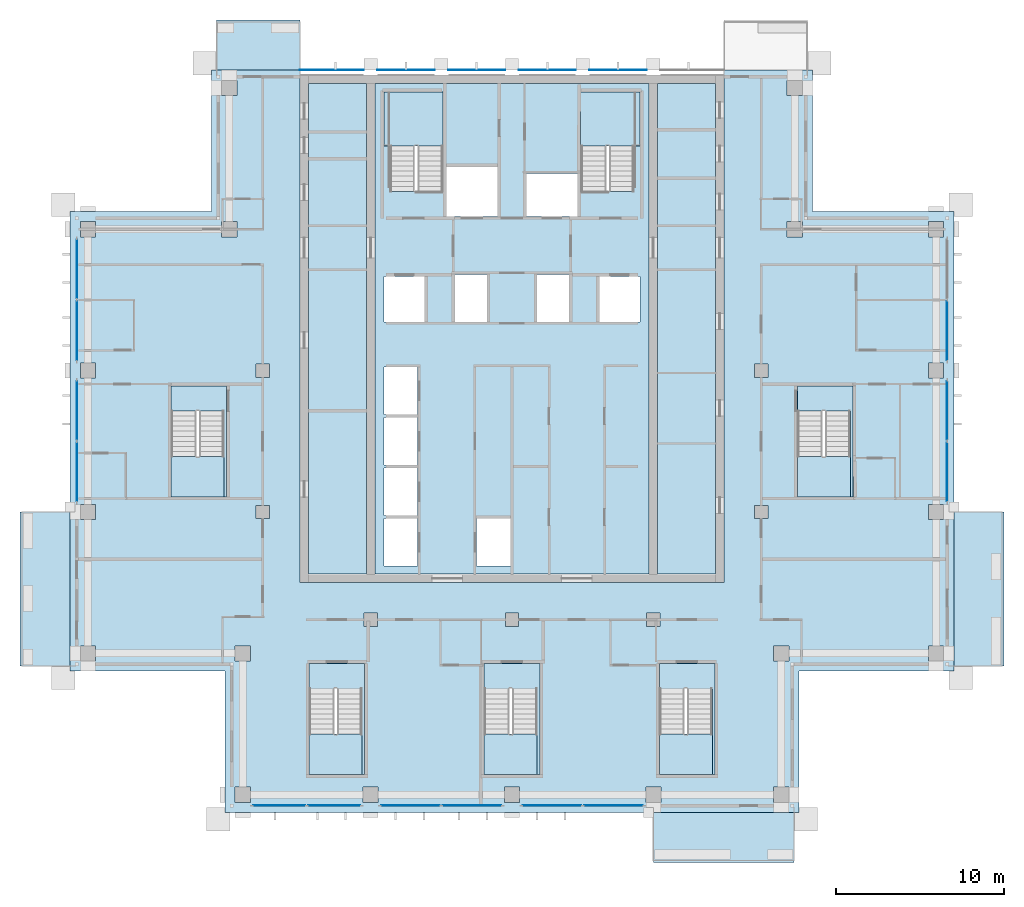
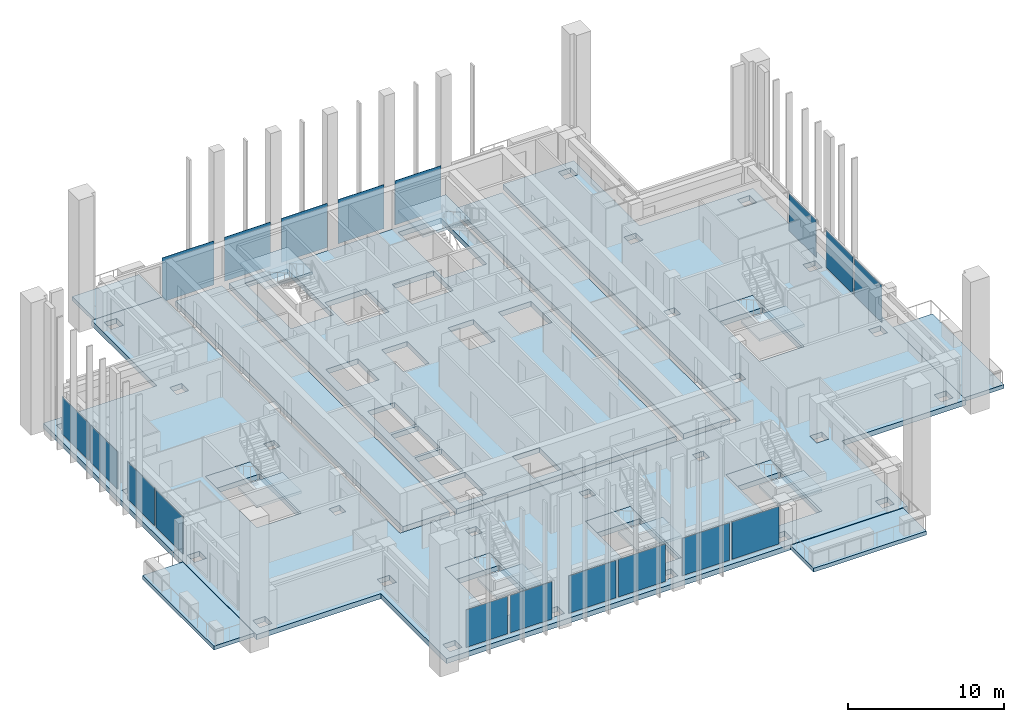
# One storey, part 8 of 20: 20 slabs, 18 plates, 14 elements without a shape of their own.
"""IFC4 building model written with IfcOpenShell, lengths in metres."""

from ifc_helpers import new_model, si_unit, direction, frame, origin, origin_2d, place, context, subcontext, project, spatial, polyline, rectangle, outline, extrude, material, layer, layer_set, type_object, element, aggregate, save


model = new_model("IFC4")

# Units and contexts
model_context = context("Model", 3, precision=1e-05, world=origin(), true_north=direction((0.0, 1.0)))
body_context = subcontext(model_context, "Body", "Model", "MODEL_VIEW")
ifc_project = project(units=[si_unit("LENGTHUNIT", "METRE"), si_unit("AREAUNIT", "SQUARE_METRE"), si_unit("VOLUMEUNIT", "CUBIC_METRE"), si_unit("PLANEANGLEUNIT", "RADIAN"), si_unit("MASSUNIT", "GRAM", prefix="KILO")], contexts=[model_context])

# Site, building, storey
site_placement = place(None, origin())
site = spatial("IfcSite", under=ifc_project, at=site_placement, CompositionType="ELEMENT")
building_placement = place(site_placement, origin())
building = spatial("IfcBuilding", under=site, at=building_placement, Name="Vermilion Ogive Tower", CompositionType="ELEMENT")
storey_placement = place(building_placement, frame((0.0, 0.0, 223.449951171875)))
storey = spatial("IfcBuildingStorey", under=building, at=storey_placement, Name="L58", CompositionType="ELEMENT", Elevation=223.449951171875)

# Slabs
ifc_material_1 = material(Name="Concrete B40", Category="concrete")
ifc_layer_1 = layer(ifc_material_1, 0.300048828125)
ifc_layer_set_1 = layer_set([ifc_layer_1], Name="Balcony slab")
slab_type_1 = type_object("IfcSlabType", Name="Balcony slab", PredefinedType="FLOOR", material=ifc_layer_set_1)
slab_1_placement = place(storey_placement, frame((0.0, 0.0, -0.33984375)))
element("IfcSlab", 1, at=slab_1_placement, inside=storey, type_object=slab_type_1, Name="Balcony slab S04", PredefinedType="FLOOR", context=body_context, shape_type="SweptSolid", body=[
    extrude(outline(polyline([(8.39990234375, -25.030029296875), (16.75, -25.030029296875), (16.75, -22.050048828125), (8.39990234375, -22.050048828125), (8.39990234375, -25.030029296875)])), origin(), (0.0, 0.0, 1.0), 0.2998046875),
])
slab_2_placement = place(storey_placement, frame((0.0, 0.0, -0.33984375)))
element("IfcSlab", 2, at=slab_2_placement, inside=storey, type_object=slab_type_1, Name="Balcony slab E01", PredefinedType="FLOOR", context=body_context, shape_type="SweptSolid", body=[
    extrude(outline(polyline([(29.22998046875, -13.35009765625), (29.22998046875, -4.199951171875), (26.25, -4.199951171875), (26.25, -13.35009765625), (29.22998046875, -13.35009765625)])), origin(), (0.0, 0.0, 1.0), 0.2998046875),
])
slab_3_placement = place(storey_placement, frame((0.0, 0.0, -0.33984375)))
element("IfcSlab", 3, at=slab_3_placement, inside=storey, type_object=slab_type_1, Name="Balcony slab N201", PredefinedType="FLOOR", context=body_context, shape_type="SweptSolid", body=[
    extrude(outline(polyline([(-12.60009765625, 25.030029296875), (-17.550048828125, 25.030029296875), (-17.550048828125, 22.050048828125), (-12.60009765625, 22.050048828125), (-12.60009765625, 25.030029296875)])), origin(), (0.0, 0.0, 1.0), 0.2998046875),
])
slab_4_placement = place(storey_placement, frame((0.0, 0.0, -0.33984375)))
element("IfcSlab", 4, at=slab_4_placement, inside=storey, type_object=slab_type_1, Name="Balcony slab W03", PredefinedType="FLOOR", context=body_context, shape_type="SweptSolid", body=[
    extrude(outline(polyline([(-29.22998046875, -4.199951171875), (-29.22998046875, -13.35009765625), (-26.25, -13.35009765625), (-26.25, -4.199951171875), (-29.22998046875, -4.199951171875)])), origin(), (0.0, 0.0, 1.0), 0.2998046875),
])

# Curtain wall, plates
ifc_material_2 = material(Name="Low-iron laminated glazing in aluminium frame", Category="aluminium")
curtain_wall_type = type_object("IfcCurtainWallType", Name="Curtain wall CW7", PredefinedType="NOTDEFINED", material=ifc_material_2)
curtain_wall_1_placement = place(storey_placement, origin())
curtain_wall_1 = element("IfcCurtainWall", 5, at=curtain_wall_1_placement, inside=storey, type_object=curtain_wall_type, Name="Glazed skin S1", PredefinedType="NOTDEFINED")
ifc_material_3 = material(Name="Low-iron laminated glazing in aluminium frame", Category="aluminium")
ifc_layer_2 = layer(ifc_material_3, 0.031982421875)
ifc_layer_set_2 = layer_set([ifc_layer_2], Name="CW7 glazing panel 32")
plate_type_1 = type_object("IfcPlateType", Name="CW7 glazing panel 32", PredefinedType="CURTAIN_PANEL", material=ifc_layer_set_2)
plate_1_placement = place(storey_placement, frame((-13.830078125, -21.64990234375, 0.06005859375), z_axis=(0.0, 0.0, 1.0), x_axis=(1.0, 0.0, 0.0)))
plate_1 = element("IfcPlate", 6, at=plate_1_placement, type_object=plate_type_1, Name="CW7-S1 panel 1.1", PredefinedType="CURTAIN_PANEL", context=body_context, shape_type="SweptSolid", body=[
    extrude(rectangle(XDim=3.080078125, YDim=0.031982421875, at=origin_2d()), origin(), (0.0, 0.0, 1.0), 2.929931640625),
])
plate_2_placement = place(storey_placement, frame((-10.570068359375, -21.64990234375, 0.06005859375), z_axis=(0.0, 0.0, 1.0), x_axis=(1.0, 0.0, 0.0)))
plate_2 = element("IfcPlate", 7, at=plate_2_placement, type_object=plate_type_1, Name="CW7-S1 panel 2.1", PredefinedType="CURTAIN_PANEL", context=body_context, shape_type="SweptSolid", body=[
    extrude(rectangle(XDim=3.080078125, YDim=0.031982421875, at=origin_2d()), origin(), (0.0, 0.0, 1.0), 2.929931640625),
])
aggregate(curtain_wall_1, [plate_1, plate_2])

curtain_wall_2_placement = place(storey_placement, origin())
curtain_wall_2 = element("IfcCurtainWall", 8, at=curtain_wall_2_placement, inside=storey, type_object=curtain_wall_type, Name="Glazed skin S2", PredefinedType="NOTDEFINED")
plate_3_placement = place(storey_placement, frame((-6.030029296875, -21.64990234375, 0.06005859375), z_axis=(0.0, 0.0, 1.0), x_axis=(1.0, 0.0, 0.0)))
plate_3 = element("IfcPlate", 9, at=plate_3_placement, type_object=plate_type_1, Name="CW7-S2 panel 1.1", PredefinedType="CURTAIN_PANEL", context=body_context, shape_type="SweptSolid", body=[
    extrude(rectangle(XDim=3.47998046875, YDim=0.031982421875, at=origin_2d()), origin(), (0.0, 0.0, 1.0), 2.929931640625),
])
plate_4_placement = place(storey_placement, frame((-2.3701171875, -21.64990234375, 0.06005859375), z_axis=(0.0, 0.0, 1.0), x_axis=(1.0, 0.0, 0.0)))
plate_4 = element("IfcPlate", 10, at=plate_4_placement, type_object=plate_type_1, Name="CW7-S2 panel 2.1", PredefinedType="CURTAIN_PANEL", context=body_context, shape_type="SweptSolid", body=[
    extrude(rectangle(XDim=3.47998046875, YDim=0.031982421875, at=origin_2d()), origin(), (0.0, 0.0, 1.0), 2.929931640625),
])
aggregate(curtain_wall_2, [plate_3, plate_4])

curtain_wall_3_placement = place(storey_placement, origin())
curtain_wall_3 = element("IfcCurtainWall", 11, at=curtain_wall_3_placement, inside=storey, type_object=curtain_wall_type, Name="Glazed skin S3", PredefinedType="NOTDEFINED")
plate_5_placement = place(storey_placement, frame((2.3701171875, -21.64990234375, 0.06005859375), z_axis=(0.0, 0.0, 1.0), x_axis=(1.0, 0.0, 0.0)))
plate_5 = element("IfcPlate", 12, at=plate_5_placement, type_object=plate_type_1, Name="CW7-S3 panel 1.1", PredefinedType="CURTAIN_PANEL", context=body_context, shape_type="SweptSolid", body=[
    extrude(rectangle(XDim=3.47998046875, YDim=0.031982421875, at=origin_2d()), origin(), (0.0, 0.0, 1.0), 2.929931640625),
])
plate_6_placement = place(storey_placement, frame((6.030029296875, -21.64990234375, 0.06005859375), z_axis=(0.0, 0.0, 1.0), x_axis=(1.0, 0.0, 0.0)))
plate_6 = element("IfcPlate", 13, at=plate_6_placement, type_object=plate_type_1, Name="CW7-S3 panel 2.1", PredefinedType="CURTAIN_PANEL", context=body_context, shape_type="SweptSolid", body=[
    extrude(rectangle(XDim=3.47998046875, YDim=0.031982421875, at=origin_2d()), origin(), (0.0, 0.0, 1.0), 2.929931640625),
])
aggregate(curtain_wall_3, [plate_5, plate_6])

curtain_wall_4_placement = place(storey_placement, origin())
curtain_wall_4 = element("IfcCurtainWall", 14, at=curtain_wall_4_placement, inside=storey, type_object=curtain_wall_type, Name="Glazed skin E2", PredefinedType="NOTDEFINED")
plate_7_placement = place(storey_placement, frame((25.85009765625, -1.830078125, 0.06005859375), z_axis=(0.0, 0.0, 1.0), x_axis=(0.0, 1.0, 0.0)))
plate_7 = element("IfcPlate", 15, at=plate_7_placement, type_object=plate_type_1, Name="CW7-E2 panel 1.1", PredefinedType="CURTAIN_PANEL", context=body_context, shape_type="SweptSolid", body=[
    extrude(rectangle(XDim=3.47998046875, YDim=0.031982421875, at=origin_2d()), origin(), (0.0, 0.0, 1.0), 2.929931640625),
])
plate_8_placement = place(storey_placement, frame((25.85009765625, 1.830078125, 0.06005859375), z_axis=(0.0, 0.0, 1.0), x_axis=(0.0, 1.0, 0.0)))
plate_8 = element("IfcPlate", 16, at=plate_8_placement, type_object=plate_type_1, Name="CW7-E2 panel 2.1", PredefinedType="CURTAIN_PANEL", context=body_context, shape_type="SweptSolid", body=[
    extrude(rectangle(XDim=3.47998046875, YDim=0.031982421875, at=origin_2d()), origin(), (0.0, 0.0, 1.0), 2.929931640625),
])
aggregate(curtain_wall_4, [plate_7, plate_8])

# Curtain wall, plate
curtain_wall_5_placement = place(storey_placement, origin())
curtain_wall_5 = element("IfcCurtainWall", 17, at=curtain_wall_5_placement, inside=storey, type_object=curtain_wall_type, Name="Glazed skin E3", PredefinedType="NOTDEFINED")
plate_9_placement = place(storey_placement, frame((25.85009765625, 6.570068359375, 0.06005859375), z_axis=(0.0, 0.0, 1.0), x_axis=(0.0, 1.0, 0.0)))
plate_9 = element("IfcPlate", 18, at=plate_9_placement, type_object=plate_type_1, Name="CW7-E3 panel 1.1", PredefinedType="CURTAIN_PANEL", context=body_context, shape_type="SweptSolid", body=[
    extrude(rectangle(XDim=3.47998046875, YDim=0.031982421875, at=origin_2d()), origin(), (0.0, 0.0, 1.0), 2.929931640625),
])
aggregate(curtain_wall_5, [plate_9])

# Curtain wall, plates
curtain_wall_6_placement = place(storey_placement, origin())
curtain_wall_6 = element("IfcCurtainWall", 19, at=curtain_wall_6_placement, inside=storey, type_object=curtain_wall_type, Name="Glazed skin W1", PredefinedType="NOTDEFINED")
plate_10_placement = place(storey_placement, frame((-25.85009765625, 10.22998046875, 0.06005859375), z_axis=(0.0, 0.0, 1.0), x_axis=(0.0, -1.0, 0.0)))
plate_10 = element("IfcPlate", 20, at=plate_10_placement, type_object=plate_type_1, Name="CW7-W1 panel 1.1", PredefinedType="CURTAIN_PANEL", context=body_context, shape_type="SweptSolid", body=[
    extrude(rectangle(XDim=3.47998046875, YDim=0.031982421875, at=origin_2d()), origin(), (0.0, 0.0, 1.0), 2.929931640625),
])
plate_11_placement = place(storey_placement, frame((-25.85009765625, 6.570068359375, 0.06005859375), z_axis=(0.0, 0.0, 1.0), x_axis=(0.0, -1.0, 0.0)))
plate_11 = element("IfcPlate", 21, at=plate_11_placement, type_object=plate_type_1, Name="CW7-W1 panel 2.1", PredefinedType="CURTAIN_PANEL", context=body_context, shape_type="SweptSolid", body=[
    extrude(rectangle(XDim=3.47998046875, YDim=0.031982421875, at=origin_2d()), origin(), (0.0, 0.0, 1.0), 2.929931640625),
])
aggregate(curtain_wall_6, [plate_10, plate_11])

curtain_wall_7_placement = place(storey_placement, origin())
curtain_wall_7 = element("IfcCurtainWall", 22, at=curtain_wall_7_placement, inside=storey, type_object=curtain_wall_type, Name="Glazed skin W2", PredefinedType="NOTDEFINED")
plate_12_placement = place(storey_placement, frame((-25.85009765625, 1.830078125, 0.06005859375), z_axis=(0.0, 0.0, 1.0), x_axis=(0.0, -1.0, 0.0)))
plate_12 = element("IfcPlate", 23, at=plate_12_placement, type_object=plate_type_1, Name="CW7-W2 panel 1.1", PredefinedType="CURTAIN_PANEL", context=body_context, shape_type="SweptSolid", body=[
    extrude(rectangle(XDim=3.47998046875, YDim=0.031982421875, at=origin_2d()), origin(), (0.0, 0.0, 1.0), 2.929931640625),
])
plate_13_placement = place(storey_placement, frame((-25.85009765625, -1.830078125, 0.06005859375), z_axis=(0.0, 0.0, 1.0), x_axis=(0.0, -1.0, 0.0)))
plate_13 = element("IfcPlate", 24, at=plate_13_placement, type_object=plate_type_1, Name="CW7-W2 panel 2.1", PredefinedType="CURTAIN_PANEL", context=body_context, shape_type="SweptSolid", body=[
    extrude(rectangle(XDim=3.47998046875, YDim=0.031982421875, at=origin_2d()), origin(), (0.0, 0.0, 1.0), 2.929931640625),
])
aggregate(curtain_wall_7, [plate_12, plate_13])

# Slabs
ifc_material_4 = material(Name="Concrete B40", Category="concrete")
ifc_layer_3 = layer(ifc_material_4, 0.39990234375)
ifc_layer_set_3 = layer_set([ifc_layer_3], Name="Core floor slab 400 B40")
slab_type_2 = type_object("IfcSlabType", Name="Core floor slab 400 B40", PredefinedType="FLOOR", material=ifc_layer_set_3)
slab_5_placement = place(storey_placement, frame((0.0, 0.0, -0.39990234375)))
element("IfcSlab", 25, at=slab_5_placement, inside=storey, type_object=slab_type_2, Name="L58-CK-FS1", PredefinedType="FLOOR", context=body_context, shape_type="SweptSolid", body=[
    extrude(outline(polyline([(-8.654052734375, 21.24609375), (-8.654052734375, -7.89599609375), (-12.095947265625, -7.89599609375), (-12.095947265625, 21.24609375), (-8.654052734375, 21.24609375)])), origin(), (0.0, 0.0, 1.0), 0.39990234375),
])
slab_6_placement = place(storey_placement, frame((0.0, 0.0, -0.39990234375)))
element("IfcSlab", 26, at=slab_6_placement, inside=storey, type_object=slab_type_2, Name="L58-CK-FS2", PredefinedType="FLOOR", context=body_context, shape_type="SweptSolid", body=[
    extrude(outline(polyline([(8.14599609375, 21.24609375), (-8.14599609375, 21.24609375), (-8.14599609375, -7.89599609375), (8.14599609375, -7.89599609375), (8.14599609375, 21.24609375)]), holes=[polyline([(-5.60009765625, -4.60009765625), (-5.60009765625, -7.39990234375), (-7.60009765625, -7.39990234375), (-7.60009765625, -4.60009765625), (-5.60009765625, -4.60009765625)]), polyline([(-5.60009765625, -1.60009765625), (-5.60009765625, -4.39990234375), (-7.60009765625, -4.39990234375), (-7.60009765625, -1.60009765625), (-5.60009765625, -1.60009765625)]), polyline([(-5.60009765625, 1.39990234375), (-5.60009765625, -1.39990234375), (-7.60009765625, -1.39990234375), (-7.60009765625, 1.39990234375), (-5.60009765625, 1.39990234375)]), polyline([(-5.60009765625, 4.39990234375), (-5.60009765625, 1.60009765625), (-7.60009765625, 1.60009765625), (-7.60009765625, 4.39990234375), (-5.60009765625, 4.39990234375)]), polyline([(-5.199951171875, 9.800048828125), (-5.199951171875, 7.10009765625), (-7.60009765625, 7.10009765625), (-7.60009765625, 9.800048828125), (-5.199951171875, 9.800048828125)]), polyline([(-1.5, 7.10009765625), (-3.39990234375, 7.10009765625), (-3.39990234375, 9.89990234375), (-1.5, 9.89990234375), (-1.5, 7.10009765625)]), polyline([(-7.25, 14.85205078125), (-7.25, 20.75), (-4.10009765625, 20.75), (-4.10009765625, 14.85205078125), (-5.60009765625, 14.85205078125), (-5.60009765625, 14.85009765625), (-5.75, 14.85009765625), (-5.75, 14.85205078125), (-7.25, 14.85205078125)]), polyline([(-0.10009765625, -4.60009765625), (-0.10009765625, -7.39990234375), (-2.10009765625, -7.39990234375), (-2.10009765625, -4.60009765625), (-0.10009765625, -4.60009765625)]), polyline([(7.60009765625, 9.800048828125), (7.60009765625, 7.10009765625), (5.199951171875, 7.10009765625), (5.199951171875, 9.800048828125), (7.60009765625, 9.800048828125)]), polyline([(3.39990234375, 9.89990234375), (3.39990234375, 7.10009765625), (1.5, 7.10009765625), (1.5, 9.89990234375), (3.39990234375, 9.89990234375)]), polyline([(3.89990234375, 15.89990234375), (3.89990234375, 13.35009765625), (0.85009765625, 13.35009765625), (0.85009765625, 15.89990234375), (3.89990234375, 15.89990234375)]), polyline([(-0.85009765625, 13.35009765625), (-3.89990234375, 13.35009765625), (-3.89990234375, 16.300048828125), (-0.85009765625, 16.300048828125), (-0.85009765625, 13.35009765625)]), polyline([(5.75, 14.85009765625), (5.60009765625, 14.85009765625), (5.60009765625, 14.85205078125), (4.10009765625, 14.85205078125), (4.10009765625, 20.75), (7.25, 20.75), (7.25, 14.85205078125), (5.75, 14.85205078125), (5.75, 14.85009765625)])]), origin(), (0.0, 0.0, 1.0), 0.39990234375),
])
slab_7_placement = place(storey_placement, frame((0.0, 0.0, -0.39990234375)))
element("IfcSlab", 27, at=slab_7_placement, inside=storey, type_object=slab_type_2, Name="L58-CK-FS3", PredefinedType="FLOOR", context=body_context, shape_type="SweptSolid", body=[
    extrude(outline(polyline([(8.654052734375, 21.24609375), (12.095947265625, 21.24609375), (12.095947265625, -7.89599609375), (8.654052734375, -7.89599609375), (8.654052734375, 21.24609375)])), origin(), (0.0, 0.0, 1.0), 0.39990234375),
])
slab_8_placement = place(storey_placement, frame((0.0, 0.0, -0.39990234375)))
element("IfcSlab", 28, at=slab_8_placement, inside=storey, type_object=slab_type_2, Name="L58-SF-ST3-1", PredefinedType="FLOOR", context=body_context, shape_type="SweptSolid", body=[
    extrude(outline(polyline([(-12.050048828125, -13.199951171875), (-12.050048828125, -14.701904296875), (-10.550048828125, -14.701904296875), (-10.550048828125, -14.699951171875), (-10.39990234375, -14.699951171875), (-10.39990234375, -14.701904296875), (-8.89990234375, -14.701904296875), (-8.89990234375, -19.800048828125), (-8.75, -19.800048828125), (-8.75, -13.199951171875), (-12.050048828125, -13.199951171875)])), origin(), (0.0, 0.0, 1.0), 0.39990234375),
])
slab_9_placement = place(storey_placement, frame((0.0, 0.0, -0.39990234375)))
element("IfcSlab", 29, at=slab_9_placement, inside=storey, type_object=slab_type_2, Name="L58-SF-ST4-1", PredefinedType="FLOOR", context=body_context, shape_type="SweptSolid", body=[
    extrude(outline(polyline([(-1.64990234375, -13.199951171875), (-1.64990234375, -14.701904296875), (-0.14990234375, -14.701904296875), (-0.14990234375, -14.699951171875), (0.0, -14.699951171875), (0.0, -14.701904296875), (1.5, -14.701904296875), (1.5, -19.800048828125), (1.64990234375, -19.800048828125), (1.64990234375, -13.199951171875), (-1.64990234375, -13.199951171875)])), origin(), (0.0, 0.0, 1.0), 0.39990234375),
])
slab_10_placement = place(storey_placement, frame((0.0, 0.0, -0.39990234375)))
element("IfcSlab", 30, at=slab_10_placement, inside=storey, type_object=slab_type_2, Name="L58-SF-ST5-1", PredefinedType="FLOOR", context=body_context, shape_type="SweptSolid", body=[
    extrude(outline(polyline([(8.75, -13.199951171875), (8.75, -14.701904296875), (10.25, -14.701904296875), (10.25, -14.699951171875), (10.39990234375, -14.699951171875), (10.39990234375, -14.701904296875), (11.89990234375, -14.701904296875), (11.89990234375, -19.800048828125), (12.050048828125, -19.800048828125), (12.050048828125, -13.199951171875), (8.75, -13.199951171875)])), origin(), (0.0, 0.0, 1.0), 0.39990234375),
])
slab_11_placement = place(storey_placement, frame((0.0, 0.0, -0.39990234375)))
element("IfcSlab", 31, at=slab_11_placement, inside=storey, type_object=slab_type_2, Name="L58-SF-ST8-1", PredefinedType="FLOOR", context=body_context, shape_type="SweptSolid", body=[
    extrude(outline(polyline([(16.949951171875, 3.300048828125), (16.949951171875, 1.798095703125), (18.449951171875, 1.798095703125), (18.449951171875, 1.800048828125), (18.60009765625, 1.800048828125), (18.60009765625, 1.798095703125), (20.10009765625, 1.798095703125), (20.10009765625, -3.300048828125), (20.25, -3.300048828125), (20.25, 3.300048828125), (16.949951171875, 3.300048828125)])), origin(), (0.0, 0.0, 1.0), 0.39990234375),
])
slab_12_placement = place(storey_placement, frame((0.0, 0.0, -0.39990234375)))
element("IfcSlab", 32, at=slab_12_placement, inside=storey, type_object=slab_type_2, Name="L58-SF-ST9-1", PredefinedType="FLOOR", context=body_context, shape_type="SweptSolid", body=[
    extrude(outline(polyline([(-20.25, 3.300048828125), (-20.25, 1.798095703125), (-18.75, 1.798095703125), (-18.75, 1.800048828125), (-18.60009765625, 1.800048828125), (-18.60009765625, 1.798095703125), (-17.10009765625, 1.798095703125), (-17.10009765625, -3.300048828125), (-16.949951171875, -3.300048828125), (-16.949951171875, 3.300048828125), (-20.25, 3.300048828125)])), origin(), (0.0, 0.0, 1.0), 0.39990234375),
])

# Plates
ifc_material_5 = material(Name="Low-iron laminated glazing in aluminium frame", Category="aluminium")
ifc_layer_4 = layer(ifc_material_5, 0.031982421875)
ifc_layer_set_4 = layer_set([ifc_layer_4], Name="Glazed rainscreen sheet 32")
plate_type_2 = type_object("IfcPlateType", Name="Glazed rainscreen sheet 32", PredefinedType="SHEET", material=ifc_layer_set_4)
plate_14_placement = place(storey_placement, frame((-10.7099609375, 22.06591796875, -0.39990234375), z_axis=(0.0, 0.0, 1.0), x_axis=(1.0, 0.0, 0.0)))
element("IfcPlate", 33, at=plate_14_placement, inside=storey, type_object=plate_type_2, Name="Glazed rainscreen sheet N1", PredefinedType="SHEET", context=body_context, shape_type="SweptSolid", body=[
    extrude(rectangle(XDim=3.820068359375, YDim=0.031982421875, at=origin_2d()), origin(), (0.0, 0.0, 1.0), 3.449951171875),
])
for number, where, z_axis, x_axis, name in (
    (34, (-6.300048828125, 22.06591796875, -0.39990234375), (0.0, 0.0, 1.0), (1.0, 0.0, 0.0), "Glazed rainscreen sheet N2"),
    (35, (-2.10009765625, 22.06591796875, -0.39990234375), (0.0, 0.0, 1.0), (1.0, 0.0, 0.0), "Glazed rainscreen sheet N3"),
    (36, (2.10009765625, 22.06591796875, -0.39990234375), (0.0, 0.0, 1.0), (1.0, 0.0, 0.0), "Glazed rainscreen sheet N4"),
    (37, (6.300048828125, 22.06591796875, -0.39990234375), (0.0, 0.0, 1.0), (1.0, 0.0, 0.0), "Glazed rainscreen sheet N5"),
):
    element("IfcPlate", number, at=place(storey_placement, frame(where, z_axis=z_axis, x_axis=x_axis)), inside=storey, type_object=plate_type_2, Name=name, PredefinedType="SHEET", context=body_context, shape_type="SweptSolid", body=[
        extrude(rectangle(XDim=3.39990234375, YDim=0.031982421875, at=origin_2d()), origin(), (0.0, 0.0, 1.0), 3.449951171875),
    ])

# Slab
ifc_material_6 = material(Name="Concrete B45", Category="concrete")
ifc_layer_5 = layer(ifc_material_6, 0.39990234375)
ifc_layer_set_5 = layer_set([ifc_layer_5], Name="Post-tensioned flat plate 400 B45")
slab_type_3 = type_object("IfcSlabType", Name="Post-tensioned flat plate 400 B45", PredefinedType="FLOOR", material=ifc_layer_set_5)
slab_13_placement = place(storey_placement, frame((0.0, 0.0, -0.39990234375)))
element("IfcSlab", 38, at=slab_13_placement, inside=storey, type_object=slab_type_3, Name="L58-SL-1", PredefinedType="FLOOR", context=body_context, shape_type="SweptSolid", body=[
    extrude(outline(polyline([(-17.050048828125, -13.64990234375), (-26.25, -13.64990234375), (-26.25, 13.64990234375), (-17.85009765625, 13.64990234375), (-17.85009765625, 22.050048828125), (-12.60009765625, 22.050048828125), (-12.60009765625, -8.39990234375), (12.60009765625, -8.39990234375), (12.60009765625, 22.050048828125), (17.85009765625, 22.050048828125), (17.85009765625, 13.64990234375), (26.25, 13.64990234375), (26.25, -13.64990234375), (17.050048828125, -13.64990234375), (17.050048828125, -22.050048828125), (-17.050048828125, -22.050048828125), (-17.050048828125, -13.64990234375)]), holes=[polyline([(25.64990234375, -4.64990234375), (25.64990234375, -3.75), (24.75, -3.75), (24.75, -4.64990234375), (25.64990234375, -4.64990234375)]), polyline([(25.64990234375, -13.050048828125), (25.64990234375, -12.14990234375), (24.75, -12.14990234375), (24.75, -13.050048828125), (25.64990234375, -13.050048828125)]), polyline([(24.75, 12.14990234375), (25.64990234375, 12.14990234375), (25.64990234375, 13.050048828125), (24.75, 13.050048828125), (24.75, 12.14990234375)]), polyline([(24.75, 3.75), (25.64990234375, 3.75), (25.64990234375, 4.64990234375), (24.75, 4.64990234375), (24.75, 3.75)]), polyline([(20.25, -3.300048828125), (20.25, 3.300048828125), (16.949951171875, 3.300048828125), (16.949951171875, -3.300048828125), (20.25, -3.300048828125)]), polyline([(17.25, 12.14990234375), (17.25, 13.050048828125), (16.35009765625, 13.050048828125), (16.35009765625, 12.14990234375), (17.25, 12.14990234375)]), polyline([(16.35009765625, 20.550048828125), (17.25, 20.550048828125), (17.25, 21.449951171875), (16.35009765625, 21.449951171875), (16.35009765625, 20.550048828125)]), polyline([(16.449951171875, -13.050048828125), (16.449951171875, -12.14990234375), (15.550048828125, -12.14990234375), (15.550048828125, -13.050048828125), (16.449951171875, -13.050048828125)]), polyline([(16.449951171875, -21.449951171875), (16.449951171875, -20.550048828125), (15.550048828125, -20.550048828125), (15.550048828125, -21.449951171875), (16.449951171875, -21.449951171875)]), polyline([(15.199951171875, 3.800048828125), (15.199951171875, 4.60009765625), (14.39990234375, 4.60009765625), (14.39990234375, 3.800048828125), (15.199951171875, 3.800048828125)]), polyline([(14.39990234375, -4.60009765625), (15.199951171875, -4.60009765625), (15.199951171875, -3.800048828125), (14.39990234375, -3.800048828125), (14.39990234375, -4.60009765625)]), polyline([(12.050048828125, -19.800048828125), (12.050048828125, -13.199951171875), (8.75, -13.199951171875), (8.75, -19.800048828125), (12.050048828125, -19.800048828125)]), polyline([(8.85009765625, -21.449951171875), (8.85009765625, -20.550048828125), (7.949951171875, -20.550048828125), (7.949951171875, -21.449951171875), (8.85009765625, -21.449951171875)]), polyline([(8.0, -11.0), (8.800048828125, -11.0), (8.800048828125, -10.199951171875), (8.0, -10.199951171875), (8.0, -11.0)]), polyline([(1.64990234375, -19.800048828125), (1.64990234375, -13.199951171875), (-1.64990234375, -13.199951171875), (-1.64990234375, -19.800048828125), (1.64990234375, -19.800048828125)]), polyline([(0.449951171875, -21.449951171875), (0.449951171875, -20.550048828125), (-0.449951171875, -20.550048828125), (-0.449951171875, -21.449951171875), (0.449951171875, -21.449951171875)]), polyline([(0.39990234375, -11.0), (0.39990234375, -10.199951171875), (-0.39990234375, -10.199951171875), (-0.39990234375, -11.0), (0.39990234375, -11.0)]), polyline([(-7.949951171875, -21.449951171875), (-7.949951171875, -20.550048828125), (-8.85009765625, -20.550048828125), (-8.85009765625, -21.449951171875), (-7.949951171875, -21.449951171875)]), polyline([(-8.0, -11.0), (-8.0, -10.199951171875), (-8.800048828125, -10.199951171875), (-8.800048828125, -11.0), (-8.0, -11.0)]), polyline([(-8.75, -19.800048828125), (-8.75, -13.199951171875), (-12.050048828125, -13.199951171875), (-12.050048828125, -19.800048828125), (-8.75, -19.800048828125)]), polyline([(-14.39990234375, 3.800048828125), (-14.39990234375, 4.60009765625), (-15.199951171875, 4.60009765625), (-15.199951171875, 3.800048828125), (-14.39990234375, 3.800048828125)]), polyline([(-15.199951171875, -4.60009765625), (-14.39990234375, -4.60009765625), (-14.39990234375, -3.800048828125), (-15.199951171875, -3.800048828125), (-15.199951171875, -4.60009765625)]), polyline([(-15.550048828125, -13.050048828125), (-15.550048828125, -12.14990234375), (-16.449951171875, -12.14990234375), (-16.449951171875, -13.050048828125), (-15.550048828125, -13.050048828125)]), polyline([(-15.550048828125, -21.449951171875), (-15.550048828125, -20.550048828125), (-16.449951171875, -20.550048828125), (-16.449951171875, -21.449951171875), (-15.550048828125, -21.449951171875)]), polyline([(-16.35009765625, 12.14990234375), (-16.35009765625, 13.050048828125), (-17.25, 13.050048828125), (-17.25, 12.14990234375), (-16.35009765625, 12.14990234375)]), polyline([(-17.25, 20.550048828125), (-16.35009765625, 20.550048828125), (-16.35009765625, 21.449951171875), (-17.25, 21.449951171875), (-17.25, 20.550048828125)]), polyline([(-16.949951171875, -3.300048828125), (-16.949951171875, 3.300048828125), (-20.25, 3.300048828125), (-20.25, -3.300048828125), (-16.949951171875, -3.300048828125)]), polyline([(-25.64990234375, 3.75), (-24.75, 3.75), (-24.75, 4.64990234375), (-25.64990234375, 4.64990234375), (-25.64990234375, 3.75)]), polyline([(-24.75, 12.14990234375), (-24.75, 13.050048828125), (-25.64990234375, 13.050048828125), (-25.64990234375, 12.14990234375), (-24.75, 12.14990234375)]), polyline([(-24.75, -4.64990234375), (-24.75, -3.75), (-25.64990234375, -3.75), (-25.64990234375, -4.64990234375), (-24.75, -4.64990234375)]), polyline([(-24.75, -13.050048828125), (-24.75, -12.14990234375), (-25.64990234375, -12.14990234375), (-25.64990234375, -13.050048828125), (-24.75, -13.050048828125)])]), origin(), (0.0, 0.0, 1.0), 0.39990234375),
])

# Stair, slab
ifc_material_7 = material(Name="Concrete B40", Category="concrete")
stair_type = type_object("IfcStairType", Name="Exit stair 1500", PredefinedType="HALF_TURN_STAIR", material=ifc_material_7)
stair_1_placement = place(storey_placement, origin())
stair_1 = element("IfcStair", 39, at=stair_1_placement, inside=storey, type_object=stair_type, Name="L58 Exit Stair ST1", PredefinedType="HALF_TURN_STAIR")
ifc_material_8 = material(Name="Concrete B40", Category="concrete")
ifc_layer_6 = layer(ifc_material_8, 0.199951171875)
ifc_layer_set_6 = layer_set([ifc_layer_6], Name="Stair landing 200")
slab_type_4 = type_object("IfcSlabType", Name="Stair landing 200", PredefinedType="LANDING", material=ifc_layer_set_6)
slab_14_placement = place(storey_placement, frame((0.0, 0.0, 1.525146484375)))
slab_14 = element("IfcSlab", 40, at=slab_14_placement, type_object=slab_type_4, Name="ST1 landing 1", PredefinedType="LANDING", context=body_context, shape_type="SweptSolid", body=[
    extrude(outline(polyline([(-7.60009765625, 17.550048828125), (-7.25, 17.550048828125), (-7.25, 17.548095703125), (-5.75, 17.548095703125), (-5.75, 17.550048828125), (-5.60009765625, 17.550048828125), (-5.60009765625, 17.548095703125), (-4.10009765625, 17.548095703125), (-4.10009765625, 20.75), (-7.60009765625, 20.75), (-7.60009765625, 17.550048828125)])), origin(), (0.0, 0.0, 1.0), 0.199951171875),
])
aggregate(stair_1, [slab_14])

stair_2_placement = place(storey_placement, origin())
stair_2 = element("IfcStair", 41, at=stair_2_placement, inside=storey, type_object=stair_type, Name="L58 Exit Stair ST2", PredefinedType="HALF_TURN_STAIR")
slab_15_placement = place(storey_placement, frame((0.0, 0.0, 1.525146484375)))
slab_15 = element("IfcSlab", 42, at=slab_15_placement, type_object=slab_type_4, Name="ST2 landing 1", PredefinedType="LANDING", context=body_context, shape_type="SweptSolid", body=[
    extrude(outline(polyline([(5.60009765625, 17.550048828125), (5.75, 17.550048828125), (5.75, 17.548095703125), (7.25, 17.548095703125), (7.25, 17.550048828125), (7.60009765625, 17.550048828125), (7.60009765625, 20.75), (4.074951171875, 20.75), (4.074951171875, 17.550048828125), (4.10009765625, 17.550048828125), (4.10009765625, 17.548095703125), (5.60009765625, 17.548095703125), (5.60009765625, 17.550048828125)])), origin(), (0.0, 0.0, 1.0), 0.199951171875),
])
aggregate(stair_2, [slab_15])

stair_3_placement = place(storey_placement, origin())
stair_3 = element("IfcStair", 43, at=stair_3_placement, inside=storey, type_object=stair_type, Name="L58 Exit Stair ST3", PredefinedType="HALF_TURN_STAIR")
slab_16_placement = place(storey_placement, frame((0.0, 0.0, 1.525146484375)))
slab_16 = element("IfcSlab", 44, at=slab_16_placement, type_object=slab_type_4, Name="ST3 landing 1", PredefinedType="LANDING", context=body_context, shape_type="SweptSolid", body=[
    extrude(outline(polyline([(-8.75, -17.39990234375), (-8.89990234375, -17.39990234375), (-8.89990234375, -17.39794921875), (-10.39990234375, -17.39794921875), (-10.39990234375, -17.39990234375), (-10.550048828125, -17.39990234375), (-10.550048828125, -17.39794921875), (-12.050048828125, -17.39794921875), (-12.050048828125, -19.800048828125), (-8.75, -19.800048828125), (-8.75, -17.39990234375)])), origin(), (0.0, 0.0, 1.0), 0.199951171875),
])
aggregate(stair_3, [slab_16])

stair_4_placement = place(storey_placement, origin())
stair_4 = element("IfcStair", 45, at=stair_4_placement, inside=storey, type_object=stair_type, Name="L58 Exit Stair ST4", PredefinedType="HALF_TURN_STAIR")
slab_17_placement = place(storey_placement, frame((0.0, 0.0, 1.525146484375)))
slab_17 = element("IfcSlab", 46, at=slab_17_placement, type_object=slab_type_4, Name="ST4 landing 1", PredefinedType="LANDING", context=body_context, shape_type="SweptSolid", body=[
    extrude(outline(polyline([(1.64990234375, -17.39990234375), (1.5, -17.39990234375), (1.5, -17.39794921875), (0.0, -17.39794921875), (0.0, -17.39990234375), (-0.14990234375, -17.39990234375), (-0.14990234375, -17.39794921875), (-1.64990234375, -17.39794921875), (-1.64990234375, -19.7998046875), (1.64990234375, -19.7998046875), (1.64990234375, -17.39990234375)])), origin(), (0.0, 0.0, 1.0), 0.199951171875),
])
aggregate(stair_4, [slab_17])

stair_5_placement = place(storey_placement, origin())
stair_5 = element("IfcStair", 47, at=stair_5_placement, inside=storey, type_object=stair_type, Name="L58 Exit Stair ST5", PredefinedType="HALF_TURN_STAIR")
slab_18_placement = place(storey_placement, frame((0.0, 0.0, 1.525146484375)))
slab_18 = element("IfcSlab", 48, at=slab_18_placement, type_object=slab_type_4, Name="ST5 landing 1", PredefinedType="LANDING", context=body_context, shape_type="SweptSolid", body=[
    extrude(outline(polyline([(12.050048828125, -17.39990234375), (11.89990234375, -17.39990234375), (11.89990234375, -17.39794921875), (10.39990234375, -17.39794921875), (10.39990234375, -17.39990234375), (10.25, -17.39990234375), (10.25, -17.39794921875), (8.75, -17.39794921875), (8.75, -19.800048828125), (12.050048828125, -19.800048828125), (12.050048828125, -17.39990234375)])), origin(), (0.0, 0.0, 1.0), 0.199951171875),
])
aggregate(stair_5, [slab_18])

stair_6_placement = place(storey_placement, origin())
stair_6 = element("IfcStair", 49, at=stair_6_placement, inside=storey, type_object=stair_type, Name="L58 Exit Stair ST8", PredefinedType="HALF_TURN_STAIR")
slab_19_placement = place(storey_placement, frame((0.0, 0.0, 1.525146484375)))
slab_19 = element("IfcSlab", 50, at=slab_19_placement, type_object=slab_type_4, Name="ST8 landing 1", PredefinedType="LANDING", context=body_context, shape_type="SweptSolid", body=[
    extrude(outline(polyline([(20.275146484375, -0.89990234375), (20.10009765625, -0.89990234375), (20.10009765625, -0.89794921875), (18.60009765625, -0.89794921875), (18.60009765625, -0.89990234375), (18.449951171875, -0.89990234375), (18.449951171875, -0.89794921875), (16.949951171875, -0.89794921875), (16.949951171875, -0.902099609375), (16.9501953125, -0.902099609375), (16.9501953125, -3.2998046875), (20.275146484375, -3.2998046875), (20.275146484375, -0.89990234375)])), origin(), (0.0, 0.0, 1.0), 0.199951171875),
])
aggregate(stair_6, [slab_19])

stair_7_placement = place(storey_placement, origin())
stair_7 = element("IfcStair", 51, at=stair_7_placement, inside=storey, type_object=stair_type, Name="L58 Exit Stair ST9", PredefinedType="HALF_TURN_STAIR")
slab_20_placement = place(storey_placement, frame((0.0, 0.0, 1.525146484375)))
slab_20 = element("IfcSlab", 52, at=slab_20_placement, type_object=slab_type_4, Name="ST9 landing 1", PredefinedType="LANDING", context=body_context, shape_type="SweptSolid", body=[
    extrude(outline(polyline([(-16.9501953125, -0.89990234375), (-17.10009765625, -0.89990234375), (-17.10009765625, -0.89794921875), (-18.60009765625, -0.89794921875), (-18.60009765625, -0.89990234375), (-18.75, -0.89990234375), (-18.75, -0.89794921875), (-20.25, -0.89794921875), (-20.25, -0.89990234375), (-20.25, -0.89990234375), (-20.25, -3.2998046875), (-16.9501953125, -3.2998046875), (-16.9501953125, -0.89990234375)])), origin(), (0.0, 0.0, 1.0), 0.199951171875),
])
aggregate(stair_7, [slab_20])

save(model, "model.ifc")
